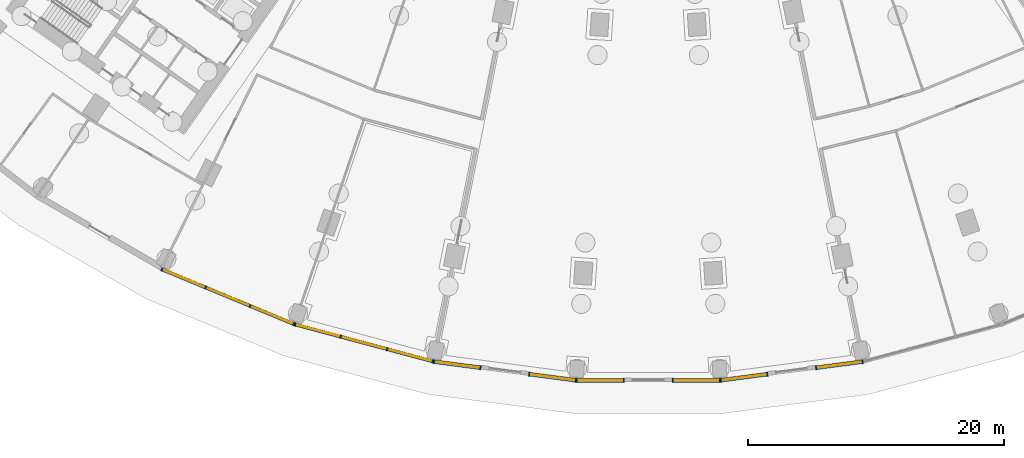
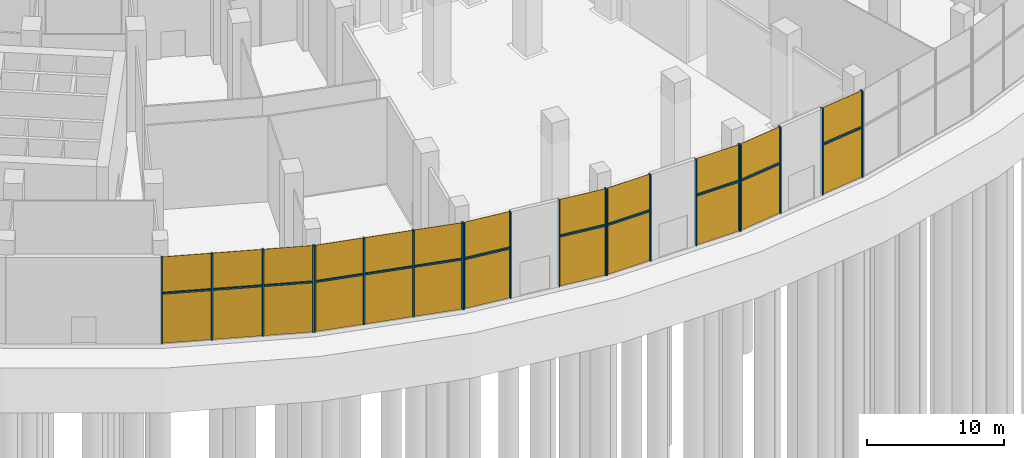
# One storey, part 14 of 23: 32 members, 8 curtain walls.
"""IFC4 building model written with IfcOpenShell, lengths in metres."""

from ifc_helpers import new_model, si_unit, direction, frame, origin, origin_2d, place, context, subcontext, project, spatial, rectangle, extrude, material, material_profile, profile_set, type_object, element, aggregate, save


model = new_model("IFC4")

# Units and contexts
model_context = context("Model", 3, precision=1e-05, world=origin(), true_north=direction((0.0, 1.0)))
body_context = subcontext(model_context, "Body", "Model", "MODEL_VIEW")
ifc_project = project(units=[si_unit("LENGTHUNIT", "METRE"), si_unit("AREAUNIT", "SQUARE_METRE"), si_unit("VOLUMEUNIT", "CUBIC_METRE"), si_unit("PLANEANGLEUNIT", "RADIAN"), si_unit("MASSUNIT", "GRAM", prefix="KILO")], contexts=[model_context])

# Member
ifc_material = material(Name="Aluminium 6063-T6 anodised", Category="aluminium")
ifc_material_profile_1 = material_profile(ifc_material, rectangle(XDim=0.25, YDim=0.1201171875, at=origin_2d()))
ifc_profile_set_1 = profile_set([ifc_material_profile_1], Name="Aluminium 6063-T6 anodised")
member_type_1 = type_object("IfcMemberType", Name="Mullion 120 x 250 aluminium, foyer", PredefinedType="MULLION", material=ifc_profile_set_1)
site_placement = place(None, origin())
building_placement = place(site_placement, origin())
storey_placement = place(building_placement, origin())
member_1_placement = place(storey_placement, frame((-38.0537109375, -77.285888671875, 0.0), z_axis=(0.0, 0.0, 1.0), x_axis=(0.382683432365, 0.923879532511, 0.0)))
member_1 = element("IfcMember", 1, at=member_1_placement, type_object=member_type_1, Name="e-cw6-L00-out00/M00", PredefinedType="MULLION", context=body_context, shape_type="SweptSolid", body=[
    extrude(rectangle(XDim=0.25, YDim=0.1201171875, at=origin_2d()), origin(), (0.0, 0.0, 1.0), 7.699951171875),
])

member_2_placement = place(storey_placement, frame((-34.634765625, -78.7021484375, 0.0), z_axis=(0.0, 0.0, 1.0), x_axis=(0.382683432365, 0.923879532511, 0.0)))
member_2 = element("IfcMember", 2, at=member_2_placement, type_object=member_type_1, Name="e-cw6-L00-out00/M01", PredefinedType="MULLION", context=body_context, shape_type="SweptSolid", body=[
    extrude(rectangle(XDim=0.25, YDim=0.1201171875, at=origin_2d()), origin(), (0.0, 0.0, 1.0), 7.699951171875),
])

member_3_placement = place(storey_placement, frame((-31.160400390625, -80.14111328125, 0.0), z_axis=(0.0, 0.0, 1.0), x_axis=(0.382683432365, 0.923879532511, 0.0)))
member_3 = element("IfcMember", 3, at=member_3_placement, type_object=member_type_1, Name="e-cw6-L00-out00/M02", PredefinedType="MULLION", context=body_context, shape_type="SweptSolid", body=[
    extrude(rectangle(XDim=0.25, YDim=0.1201171875, at=origin_2d()), origin(), (0.0, 0.0, 1.0), 7.699951171875),
])

member_4_placement = place(storey_placement, frame((-27.7412109375, -81.557373046875, 0.0), z_axis=(0.0, 0.0, 1.0), x_axis=(0.382683432365, 0.923879532511, 0.0)))
member_4 = element("IfcMember", 4, at=member_4_placement, type_object=member_type_1, Name="e-cw6-L00-out00/M03", PredefinedType="MULLION", context=body_context, shape_type="SweptSolid", body=[
    extrude(rectangle(XDim=0.25, YDim=0.1201171875, at=origin_2d()), origin(), (0.0, 0.0, 1.0), 7.699951171875),
])

member_5_placement = place(storey_placement, frame((-27.640380859375, -81.591552734375, 0.0), z_axis=(0.0, 0.0, 1.0), x_axis=(0.258819045103, 0.965925826289, 0.0)))
member_5 = element("IfcMember", 5, at=member_5_placement, type_object=member_type_1, Name="e-cw6-L00-out01/M00", PredefinedType="MULLION", context=body_context, shape_type="SweptSolid", body=[
    extrude(rectangle(XDim=0.25, YDim=0.1201171875, at=origin_2d()), origin(), (0.0, 0.0, 1.0), 7.699951171875),
])

member_6_placement = place(storey_placement, frame((-24.065673828125, -82.549560546875, 0.0), z_axis=(0.0, 0.0, 1.0), x_axis=(0.258819045103, 0.965925826289, 0.0)))
member_6 = element("IfcMember", 6, at=member_6_placement, type_object=member_type_1, Name="e-cw6-L00-out01/M01", PredefinedType="MULLION", context=body_context, shape_type="SweptSolid", body=[
    extrude(rectangle(XDim=0.25, YDim=0.1201171875, at=origin_2d()), origin(), (0.0, 0.0, 1.0), 7.699951171875),
])

member_7_placement = place(storey_placement, frame((-20.43310546875, -83.522705078125, 0.0), z_axis=(0.0, 0.0, 1.0), x_axis=(0.258819045103, 0.965925826289, 0.0)))
member_7 = element("IfcMember", 7, at=member_7_placement, type_object=member_type_1, Name="e-cw6-L00-out01/M02", PredefinedType="MULLION", context=body_context, shape_type="SweptSolid", body=[
    extrude(rectangle(XDim=0.25, YDim=0.1201171875, at=origin_2d()), origin(), (0.0, 0.0, 1.0), 7.699951171875),
])

member_8_placement = place(storey_placement, frame((-16.858642578125, -84.480712890625, 0.0), z_axis=(0.0, 0.0, 1.0), x_axis=(0.258819045103, 0.965925826289, 0.0)))
member_8 = element("IfcMember", 8, at=member_8_placement, type_object=member_type_1, Name="e-cw6-L00-out01/M03", PredefinedType="MULLION", context=body_context, shape_type="SweptSolid", body=[
    extrude(rectangle(XDim=0.25, YDim=0.1201171875, at=origin_2d()), origin(), (0.0, 0.0, 1.0), 7.699951171875),
])

ifc_material_profile_2 = material_profile(ifc_material, rectangle(XDim=0.300048828125, YDim=0.090087890625, at=origin_2d()))
ifc_profile_set_2 = profile_set([ifc_material_profile_2], Name="Aluminium 6063-T6 anodised")
member_type_2 = type_object("IfcMemberType", Name="Mullion 90 x 300 aluminium, concourse", PredefinedType="MULLION", material=ifc_profile_set_2)
member_9_placement = place(storey_placement, frame((-16.768798828125, -84.49951171875, 0.0), z_axis=(0.0, 0.0, 1.0), x_axis=(0.13052619222, 0.991444861374, 0.0)))
member_9 = element("IfcMember", 9, at=member_9_placement, type_object=member_type_2, Name="e-cw2-L00-out00/M00", PredefinedType="MULLION", context=body_context, shape_type="SweptSolid", body=[
    extrude(rectangle(XDim=0.300048828125, YDim=0.090087890625, at=origin_2d()), origin(), (0.0, 0.0, 1.0), 7.699951171875),
])

member_10_placement = place(storey_placement, frame((-13.129638671875, -84.978515625, 0.0), z_axis=(0.0, 0.0, 1.0), x_axis=(0.13052619222, 0.991444861374, 0.0)))
member_10 = element("IfcMember", 10, at=member_10_placement, type_object=member_type_2, Name="e-cw2-L00-out00/M01", PredefinedType="MULLION", context=body_context, shape_type="SweptSolid", body=[
    extrude(rectangle(XDim=0.300048828125, YDim=0.090087890625, at=origin_2d()), origin(), (0.0, 0.0, 1.0), 7.699951171875),
])

member_11_placement = place(storey_placement, frame((-9.311767578125, -85.481201171875, 0.0), z_axis=(0.0, 0.0, 1.0), x_axis=(0.13052619222, 0.991444861374, 0.0)))
member_11 = element("IfcMember", 11, at=member_11_placement, type_object=member_type_2, Name="e-cw2-L00-out01/M00", PredefinedType="MULLION", context=body_context, shape_type="SweptSolid", body=[
    extrude(rectangle(XDim=0.300048828125, YDim=0.090087890625, at=origin_2d()), origin(), (0.0, 0.0, 1.0), 7.699951171875),
])

member_12_placement = place(storey_placement, frame((-5.672607421875, -85.960205078125, 0.0), z_axis=(0.0, 0.0, 1.0), x_axis=(0.13052619222, 0.991444861374, 0.0)))
member_12 = element("IfcMember", 12, at=member_12_placement, type_object=member_type_2, Name="e-cw2-L00-out01/M01", PredefinedType="MULLION", context=body_context, shape_type="SweptSolid", body=[
    extrude(rectangle(XDim=0.300048828125, YDim=0.090087890625, at=origin_2d()), origin(), (0.0, 0.0, 1.0), 7.699951171875),
])

member_13_placement = place(storey_placement, frame((-5.595947265625, -85.96533203125, 0.0), z_axis=(0.0, 0.0, 1.0), x_axis=(0.0, 1.0, 0.0)))
member_13 = element("IfcMember", 13, at=member_13_placement, type_object=member_type_2, Name="e-cw2-L00-out02/M00", PredefinedType="MULLION", context=body_context, shape_type="SweptSolid", body=[
    extrude(rectangle(XDim=0.300048828125, YDim=0.090087890625, at=origin_2d()), origin(), (0.0, 0.0, 1.0), 7.699951171875),
])

member_14_placement = place(storey_placement, frame((-1.92529296875, -85.96533203125, 0.0), z_axis=(0.0, 0.0, 1.0), x_axis=(0.0, 1.0, 0.0)))
member_14 = element("IfcMember", 14, at=member_14_placement, type_object=member_type_2, Name="e-cw2-L00-out02/M01", PredefinedType="MULLION", context=body_context, shape_type="SweptSolid", body=[
    extrude(rectangle(XDim=0.300048828125, YDim=0.090087890625, at=origin_2d()), origin(), (0.0, 0.0, 1.0), 7.699951171875),
])

member_15_placement = place(storey_placement, frame((1.92529296875, -85.96533203125, 0.0), z_axis=(0.0, 0.0, 1.0), x_axis=(0.0, 1.0, 0.0)))
member_15 = element("IfcMember", 15, at=member_15_placement, type_object=member_type_2, Name="e-cw2-L00-out03/M00", PredefinedType="MULLION", context=body_context, shape_type="SweptSolid", body=[
    extrude(rectangle(XDim=0.300048828125, YDim=0.090087890625, at=origin_2d()), origin(), (0.0, 0.0, 1.0), 7.699951171875),
])

member_16_placement = place(storey_placement, frame((5.595947265625, -85.96533203125, 0.0), z_axis=(0.0, 0.0, 1.0), x_axis=(0.0, 1.0, 0.0)))
member_16 = element("IfcMember", 16, at=member_16_placement, type_object=member_type_2, Name="e-cw2-L00-out03/M01", PredefinedType="MULLION", context=body_context, shape_type="SweptSolid", body=[
    extrude(rectangle(XDim=0.300048828125, YDim=0.090087890625, at=origin_2d()), origin(), (0.0, 0.0, 1.0), 7.699951171875),
])

member_17_placement = place(storey_placement, frame((5.672607421875, -85.960205078125, 0.0), z_axis=(0.0, 0.0, 1.0), x_axis=(-0.13052619222, 0.991444861374, 0.0)))
member_17 = element("IfcMember", 17, at=member_17_placement, type_object=member_type_2, Name="e-cw2-L00-out04/M00", PredefinedType="MULLION", context=body_context, shape_type="SweptSolid", body=[
    extrude(rectangle(XDim=0.300048828125, YDim=0.090087890625, at=origin_2d()), origin(), (0.0, 0.0, 1.0), 7.699951171875),
])

member_18_placement = place(storey_placement, frame((9.311767578125, -85.481201171875, 0.0), z_axis=(0.0, 0.0, 1.0), x_axis=(-0.13052619222, 0.991444861374, 0.0)))
member_18 = element("IfcMember", 18, at=member_18_placement, type_object=member_type_2, Name="e-cw2-L00-out04/M01", PredefinedType="MULLION", context=body_context, shape_type="SweptSolid", body=[
    extrude(rectangle(XDim=0.300048828125, YDim=0.090087890625, at=origin_2d()), origin(), (0.0, 0.0, 1.0), 7.699951171875),
])

member_19_placement = place(storey_placement, frame((13.129638671875, -84.978515625, 0.0), z_axis=(0.0, 0.0, 1.0), x_axis=(-0.13052619222, 0.991444861374, 0.0)))
member_19 = element("IfcMember", 19, at=member_19_placement, type_object=member_type_2, Name="e-cw2-L00-out05/M00", PredefinedType="MULLION", context=body_context, shape_type="SweptSolid", body=[
    extrude(rectangle(XDim=0.300048828125, YDim=0.090087890625, at=origin_2d()), origin(), (0.0, 0.0, 1.0), 7.699951171875),
])

member_20_placement = place(storey_placement, frame((16.768798828125, -84.49951171875, 0.0), z_axis=(0.0, 0.0, 1.0), x_axis=(-0.13052619222, 0.991444861374, 0.0)))
member_20 = element("IfcMember", 20, at=member_20_placement, type_object=member_type_2, Name="e-cw2-L00-out05/M01", PredefinedType="MULLION", context=body_context, shape_type="SweptSolid", body=[
    extrude(rectangle(XDim=0.300048828125, YDim=0.090087890625, at=origin_2d()), origin(), (0.0, 0.0, 1.0), 7.699951171875),
])

ifc_material_profile_3 = material_profile(ifc_material, rectangle(XDim=0.25, YDim=0.1201171875, at=origin_2d()))
ifc_profile_set_3 = profile_set([ifc_material_profile_3], Name="Aluminium 6063-T6 anodised")
member_type_3 = type_object("IfcMemberType", Name="Transom 120 x 250 aluminium, foyer", PredefinedType="USERDEFINED", material=ifc_profile_set_3)
member_21_placement = place(storey_placement, frame((-37.998291015625, -77.308837890625, 4.5), z_axis=(0.923893845705, -0.382648875431, 0.0), x_axis=(0.382648875431, 0.923893845705, 0.0)))
member_21 = element("IfcMember", 21, at=member_21_placement, type_object=member_type_3, Name="e-cw6-L00-out00/T00", ObjectType="TRANSOM", PredefinedType="USERDEFINED", context=body_context, shape_type="SweptSolid", body=[
    extrude(rectangle(XDim=0.25, YDim=0.1201171875, at=origin_2d()), origin(), (0.0, 0.0, 1.0), 3.58056640625),
])

member_22_placement = place(storey_placement, frame((-34.579345703125, -78.72509765625, 4.5), z_axis=(0.923894237626, -0.382647929149, 0.0), x_axis=(0.382647929149, 0.923894237626, 0.0)))
member_22 = element("IfcMember", 22, at=member_22_placement, type_object=member_type_3, Name="e-cw6-L00-out00/T01", ObjectType="TRANSOM", PredefinedType="USERDEFINED", context=body_context, shape_type="SweptSolid", body=[
    extrude(rectangle(XDim=0.25, YDim=0.1201171875, at=origin_2d()), origin(), (0.0, 0.0, 1.0), 3.640625),
])

member_23_placement = place(storey_placement, frame((-31.10498046875, -80.1640625, 4.5), z_axis=(0.923879724955, -0.382682967764, 0.0), x_axis=(0.382682967764, 0.923879724955, 0.0)))
member_23 = element("IfcMember", 23, at=member_23_placement, type_object=member_type_3, Name="e-cw6-L00-out00/T02", ObjectType="TRANSOM", PredefinedType="USERDEFINED", context=body_context, shape_type="SweptSolid", body=[
    extrude(rectangle(XDim=0.25, YDim=0.1201171875, at=origin_2d()), origin(), (0.0, 0.0, 1.0), 3.580810546875),
])

member_24_placement = place(storey_placement, frame((-27.582275390625, -81.607177734375, 4.5), z_axis=(0.965921875824, -0.258833787987, 0.0), x_axis=(0.258833787987, 0.965921875824, 0.0)))
member_24 = element("IfcMember", 24, at=member_24_placement, type_object=member_type_3, Name="e-cw6-L00-out01/T00", ObjectType="TRANSOM", PredefinedType="USERDEFINED", context=body_context, shape_type="SweptSolid", body=[
    extrude(rectangle(XDim=0.25, YDim=0.1201171875, at=origin_2d()), origin(), (0.0, 0.0, 1.0), 3.58056640625),
])

member_25_placement = place(storey_placement, frame((-24.0078125, -82.56494140625, 4.5), z_axis=(0.965918116886, -0.258847815272, 0.0), x_axis=(0.258847815272, 0.965918116886, 0.0)))
member_25 = element("IfcMember", 25, at=member_25_placement, type_object=member_type_3, Name="e-cw6-L00-out01/T01", ObjectType="TRANSOM", PredefinedType="USERDEFINED", context=body_context, shape_type="SweptSolid", body=[
    extrude(rectangle(XDim=0.25, YDim=0.1201171875, at=origin_2d()), origin(), (0.0, 0.0, 1.0), 3.640625),
])

member_26_placement = place(storey_placement, frame((-20.375244140625, -83.538330078125, 4.5), z_axis=(0.965926443485, -0.258816741686, 0.0), x_axis=(0.258816741686, 0.965926443485, 0.0)))
member_26 = element("IfcMember", 26, at=member_26_placement, type_object=member_type_3, Name="e-cw6-L00-out01/T02", ObjectType="TRANSOM", PredefinedType="USERDEFINED", context=body_context, shape_type="SweptSolid", body=[
    extrude(rectangle(XDim=0.25, YDim=0.1201171875, at=origin_2d()), origin(), (0.0, 0.0, 1.0), 3.580810546875),
])

ifc_material_profile_4 = material_profile(ifc_material, rectangle(XDim=0.300048828125, YDim=0.1201171875, at=origin_2d()))
ifc_profile_set_4 = profile_set([ifc_material_profile_4], Name="Aluminium 6063-T6 anodised")
member_type_4 = type_object("IfcMemberType", Name="Transom 120 x 300 aluminium, concourse", PredefinedType="USERDEFINED", material=ifc_profile_set_4)
member_27_placement = place(storey_placement, frame((-16.724365234375, -84.50537109375, 4.5), z_axis=(0.991448028438, -0.130502133721, 0.0), x_axis=(0.130502133721, 0.991448028438, 0.0)))
member_27 = element("IfcMember", 27, at=member_27_placement, type_object=member_type_4, Name="e-cw2-L00-out00/T00", ObjectType="TRANSOM", PredefinedType="USERDEFINED", context=body_context, shape_type="SweptSolid", body=[
    extrude(rectangle(XDim=0.300048828125, YDim=0.1201171875, at=origin_2d()), origin(), (0.0, 0.0, 1.0), 3.58056640625),
])

member_28_placement = place(storey_placement, frame((-9.267333984375, -85.487060546875, 4.5), z_axis=(0.991448028438, -0.130502133721, 0.0), x_axis=(0.130502133721, 0.991448028438, 0.0)))
member_28 = element("IfcMember", 28, at=member_28_placement, type_object=member_type_4, Name="e-cw2-L00-out01/T00", ObjectType="TRANSOM", PredefinedType="USERDEFINED", context=body_context, shape_type="SweptSolid", body=[
    extrude(rectangle(XDim=0.300048828125, YDim=0.1201171875, at=origin_2d()), origin(), (0.0, 0.0, 1.0), 3.58056640625),
])

member_29_placement = place(storey_placement, frame((-5.551025390625, -85.96533203125, 4.5), z_axis=(1.0, 0.0, 0.0), x_axis=(0.0, 1.0, 0.0)))
member_29 = element("IfcMember", 29, at=member_29_placement, type_object=member_type_4, Name="e-cw2-L00-out02/T00", ObjectType="TRANSOM", PredefinedType="USERDEFINED", context=body_context, shape_type="SweptSolid", body=[
    extrude(rectangle(XDim=0.300048828125, YDim=0.1201171875, at=origin_2d()), origin(), (0.0, 0.0, 1.0), 3.58056640625),
])

member_30_placement = place(storey_placement, frame((1.970458984375, -85.96533203125, 4.5), z_axis=(1.0, 0.0, 0.0), x_axis=(0.0, 1.0, 0.0)))
member_30 = element("IfcMember", 30, at=member_30_placement, type_object=member_type_4, Name="e-cw2-L00-out03/T00", ObjectType="TRANSOM", PredefinedType="USERDEFINED", context=body_context, shape_type="SweptSolid", body=[
    extrude(rectangle(XDim=0.300048828125, YDim=0.1201171875, at=origin_2d()), origin(), (0.0, 0.0, 1.0), 3.58056640625),
])

member_31_placement = place(storey_placement, frame((5.71728515625, -85.954345703125, 4.5), z_axis=(0.991448028438, 0.130502133721, 0.0), x_axis=(-0.130502133721, 0.991448028438, 0.0)))
member_31 = element("IfcMember", 31, at=member_31_placement, type_object=member_type_4, Name="e-cw2-L00-out04/T00", ObjectType="TRANSOM", PredefinedType="USERDEFINED", context=body_context, shape_type="SweptSolid", body=[
    extrude(rectangle(XDim=0.300048828125, YDim=0.1201171875, at=origin_2d()), origin(), (0.0, 0.0, 1.0), 3.58056640625),
])

member_32_placement = place(storey_placement, frame((13.17431640625, -84.97265625, 4.5), z_axis=(0.991448028438, 0.130502133721, 0.0), x_axis=(-0.130502133721, 0.991448028438, 0.0)))
member_32 = element("IfcMember", 32, at=member_32_placement, type_object=member_type_4, Name="e-cw2-L00-out05/T00", ObjectType="TRANSOM", PredefinedType="USERDEFINED", context=body_context, shape_type="SweptSolid", body=[
    extrude(rectangle(XDim=0.300048828125, YDim=0.1201171875, at=origin_2d()), origin(), (0.0, 0.0, 1.0), 3.58056640625),
])

# Site, building, storey
site = spatial("IfcSite", under=ifc_project, at=site_placement, CompositionType="ELEMENT")
building = spatial("IfcBuilding", under=site, at=building_placement, Name="Qamariyya Broadcast Tower", CompositionType="ELEMENT")
storey = spatial("IfcBuildingStorey", under=building, at=storey_placement, Name="L00", CompositionType="ELEMENT", Elevation=0.0)

# Curtain wall
curtain_wall_type_1 = type_object("IfcCurtainWallType", Name="Concourse entrance curtain wall, structural silicone glazed", PredefinedType="NOTDEFINED", material=ifc_material)
curtain_wall_1_placement = place(storey_placement, origin())
curtain_wall_1 = element("IfcCurtainWall", 33, at=curtain_wall_1_placement, inside=storey, type_object=curtain_wall_type_1, Name="e-cw2-L00-out00", PredefinedType="NOTDEFINED", context=body_context, shape_type="SweptSolid", body=[
    extrude(rectangle(XDim=3.58056640625, YDim=0.031982421875, at=origin_2d()), frame((-14.94921875, -84.739013671875, 0.0), x_axis=(0.991449875678, -0.130488099143, 0.0)), (0.0, 0.0, 1.0), 4.43994140625),
    extrude(rectangle(XDim=3.58056640625, YDim=0.031982421875, at=origin_2d()), frame((-14.94921875, -84.739013671875, 4.56005859375), x_axis=(0.991449875678, -0.130488099143, 0.0)), (0.0, 0.0, 1.0), 3.139892578125),
])

aggregate(curtain_wall_1, [member_9, member_10, member_27])

curtain_wall_2_placement = place(storey_placement, origin())
curtain_wall_2 = element("IfcCurtainWall", 34, at=curtain_wall_2_placement, inside=storey, type_object=curtain_wall_type_1, Name="e-cw2-L00-out01", PredefinedType="NOTDEFINED", context=body_context, shape_type="SweptSolid", body=[
    extrude(rectangle(XDim=3.580810546875, YDim=0.031982421875, at=origin_2d()), frame((-7.4921875, -85.720703125, 0.0), x_axis=(0.99144147491, -0.130551912392, 0.0)), (0.0, 0.0, 1.0), 4.43994140625),
    extrude(rectangle(XDim=3.580810546875, YDim=0.031982421875, at=origin_2d()), frame((-7.4921875, -85.720703125, 4.56005859375), x_axis=(0.99144147491, -0.130551912392, 0.0)), (0.0, 0.0, 1.0), 3.139892578125),
])

aggregate(curtain_wall_2, [member_11, member_12, member_28])

curtain_wall_3_placement = place(storey_placement, origin())
curtain_wall_3 = element("IfcCurtainWall", 35, at=curtain_wall_3_placement, inside=storey, type_object=curtain_wall_type_1, Name="e-cw2-L00-out02", PredefinedType="NOTDEFINED", context=body_context, shape_type="SweptSolid", body=[
    extrude(rectangle(XDim=3.580810546875, YDim=0.031982421875, at=origin_2d()), frame((-3.7607421875, -85.96533203125, 0.0), x_axis=(1.0, 0.0, 0.0)), (0.0, 0.0, 1.0), 4.43994140625),
    extrude(rectangle(XDim=3.580810546875, YDim=0.031982421875, at=origin_2d()), frame((-3.7607421875, -85.96533203125, 4.56005859375), x_axis=(1.0, 0.0, 0.0)), (0.0, 0.0, 1.0), 3.139892578125),
])

aggregate(curtain_wall_3, [member_13, member_14, member_29])

curtain_wall_4_placement = place(storey_placement, origin())
curtain_wall_4 = element("IfcCurtainWall", 36, at=curtain_wall_4_placement, inside=storey, type_object=curtain_wall_type_1, Name="e-cw2-L00-out03", PredefinedType="NOTDEFINED", context=body_context, shape_type="SweptSolid", body=[
    extrude(rectangle(XDim=3.580810546875, YDim=0.031982421875, at=origin_2d()), frame((3.7607421875, -85.96533203125, 0.0), x_axis=(1.0, 0.0, 0.0)), (0.0, 0.0, 1.0), 4.43994140625),
    extrude(rectangle(XDim=3.580810546875, YDim=0.031982421875, at=origin_2d()), frame((3.7607421875, -85.96533203125, 4.56005859375), x_axis=(1.0, 0.0, 0.0)), (0.0, 0.0, 1.0), 3.139892578125),
])

aggregate(curtain_wall_4, [member_15, member_16, member_30])

curtain_wall_5_placement = place(storey_placement, origin())
curtain_wall_5 = element("IfcCurtainWall", 37, at=curtain_wall_5_placement, inside=storey, type_object=curtain_wall_type_1, Name="e-cw2-L00-out04", PredefinedType="NOTDEFINED", context=body_context, shape_type="SweptSolid", body=[
    extrude(rectangle(XDim=3.580810546875, YDim=0.031982421875, at=origin_2d()), frame((7.4921875, -85.720703125, 0.0), x_axis=(0.99144147491, 0.130551912392, 0.0)), (0.0, 0.0, 1.0), 4.43994140625),
    extrude(rectangle(XDim=3.580810546875, YDim=0.031982421875, at=origin_2d()), frame((7.4921875, -85.720703125, 4.56005859375), x_axis=(0.99144147491, 0.130551912392, 0.0)), (0.0, 0.0, 1.0), 3.139892578125),
])

aggregate(curtain_wall_5, [member_17, member_18, member_31])

curtain_wall_6_placement = place(storey_placement, origin())
curtain_wall_6 = element("IfcCurtainWall", 38, at=curtain_wall_6_placement, inside=storey, type_object=curtain_wall_type_1, Name="e-cw2-L00-out05", PredefinedType="NOTDEFINED", context=body_context, shape_type="SweptSolid", body=[
    extrude(rectangle(XDim=3.58056640625, YDim=0.031982421875, at=origin_2d()), frame((14.94921875, -84.739013671875, 0.0), x_axis=(0.991449875678, 0.130488099143, 0.0)), (0.0, 0.0, 1.0), 4.43994140625),
    extrude(rectangle(XDim=3.58056640625, YDim=0.031982421875, at=origin_2d()), frame((14.94921875, -84.739013671875, 4.56005859375), x_axis=(0.991449875678, 0.130488099143, 0.0)), (0.0, 0.0, 1.0), 3.139892578125),
])

aggregate(curtain_wall_6, [member_19, member_20, member_32])

curtain_wall_type_2 = type_object("IfcCurtainWallType", Name="Studio foyer curtain wall, deep aluminium mullions", PredefinedType="NOTDEFINED", material=ifc_material)
curtain_wall_7_placement = place(storey_placement, origin())
curtain_wall_7 = element("IfcCurtainWall", 39, at=curtain_wall_7_placement, inside=storey, type_object=curtain_wall_type_2, Name="e-cw6-L00-out00", PredefinedType="NOTDEFINED", context=body_context, shape_type="SweptSolid", body=[
    extrude(rectangle(XDim=3.580810546875, YDim=0.031982421875, at=origin_2d()), frame((-36.34423828125, -77.993896484375, 0.0), x_axis=(0.923882851624, -0.382675419219, 0.0)), (0.0, 0.0, 1.0), 4.43994140625),
    extrude(rectangle(XDim=3.580810546875, YDim=0.031982421875, at=origin_2d()), frame((-36.34423828125, -77.993896484375, 4.56005859375), x_axis=(0.923882851624, -0.382675419219, 0.0)), (0.0, 0.0, 1.0), 3.139892578125),
    extrude(rectangle(XDim=3.640625, YDim=0.031982421875, at=origin_2d()), frame((-32.8974609375, -79.421630859375, 0.0), x_axis=(0.923882851624, -0.382675419219, 0.0)), (0.0, 0.0, 1.0), 4.43994140625),
    extrude(rectangle(XDim=3.640625, YDim=0.031982421875, at=origin_2d()), frame((-32.8974609375, -79.421630859375, 4.56005859375), x_axis=(0.923882851624, -0.382675419219, 0.0)), (0.0, 0.0, 1.0), 3.139892578125),
    extrude(rectangle(XDim=3.580810546875, YDim=0.031982421875, at=origin_2d()), frame((-29.45068359375, -80.849365234375, 0.0), x_axis=(0.923882851624, -0.382675419219, 0.0)), (0.0, 0.0, 1.0), 4.43994140625),
    extrude(rectangle(XDim=3.580810546875, YDim=0.031982421875, at=origin_2d()), frame((-29.45068359375, -80.849365234375, 4.56005859375), x_axis=(0.923882851624, -0.382675419219, 0.0)), (0.0, 0.0, 1.0), 3.139892578125),
])

aggregate(curtain_wall_7, [member_1, member_2, member_3, member_4, member_21, member_22, member_23])

curtain_wall_8_placement = place(storey_placement, origin())
curtain_wall_8 = element("IfcCurtainWall", 40, at=curtain_wall_8_placement, inside=storey, type_object=curtain_wall_type_2, Name="e-cw6-L00-out01", PredefinedType="NOTDEFINED", context=body_context, shape_type="SweptSolid", body=[
    extrude(rectangle(XDim=3.580810546875, YDim=0.031982421875, at=origin_2d()), frame((-25.85302734375, -82.070556640625, 0.0), x_axis=(0.96592825044, -0.258809997878, 0.0)), (0.0, 0.0, 1.0), 4.43994140625),
    extrude(rectangle(XDim=3.580810546875, YDim=0.031982421875, at=origin_2d()), frame((-25.85302734375, -82.070556640625, 4.56005859375), x_axis=(0.96592825044, -0.258809997878, 0.0)), (0.0, 0.0, 1.0), 3.139892578125),
    extrude(rectangle(XDim=3.640625, YDim=0.031982421875, at=origin_2d()), frame((-22.24951171875, -83.0361328125, 0.0), x_axis=(0.96592825044, -0.258809997878, 0.0)), (0.0, 0.0, 1.0), 4.43994140625),
    extrude(rectangle(XDim=3.640625, YDim=0.031982421875, at=origin_2d()), frame((-22.24951171875, -83.0361328125, 4.56005859375), x_axis=(0.96592825044, -0.258809997878, 0.0)), (0.0, 0.0, 1.0), 3.139892578125),
    extrude(rectangle(XDim=3.580810546875, YDim=0.031982421875, at=origin_2d()), frame((-18.645751953125, -84.001708984375, 0.0), x_axis=(0.96592825044, -0.258809997878, 0.0)), (0.0, 0.0, 1.0), 4.43994140625),
    extrude(rectangle(XDim=3.580810546875, YDim=0.031982421875, at=origin_2d()), frame((-18.645751953125, -84.001708984375, 4.56005859375), x_axis=(0.96592825044, -0.258809997878, 0.0)), (0.0, 0.0, 1.0), 3.139892578125),
])

aggregate(curtain_wall_8, [member_5, member_6, member_7, member_8, member_24, member_25, member_26])

save(model, "model.ifc")
